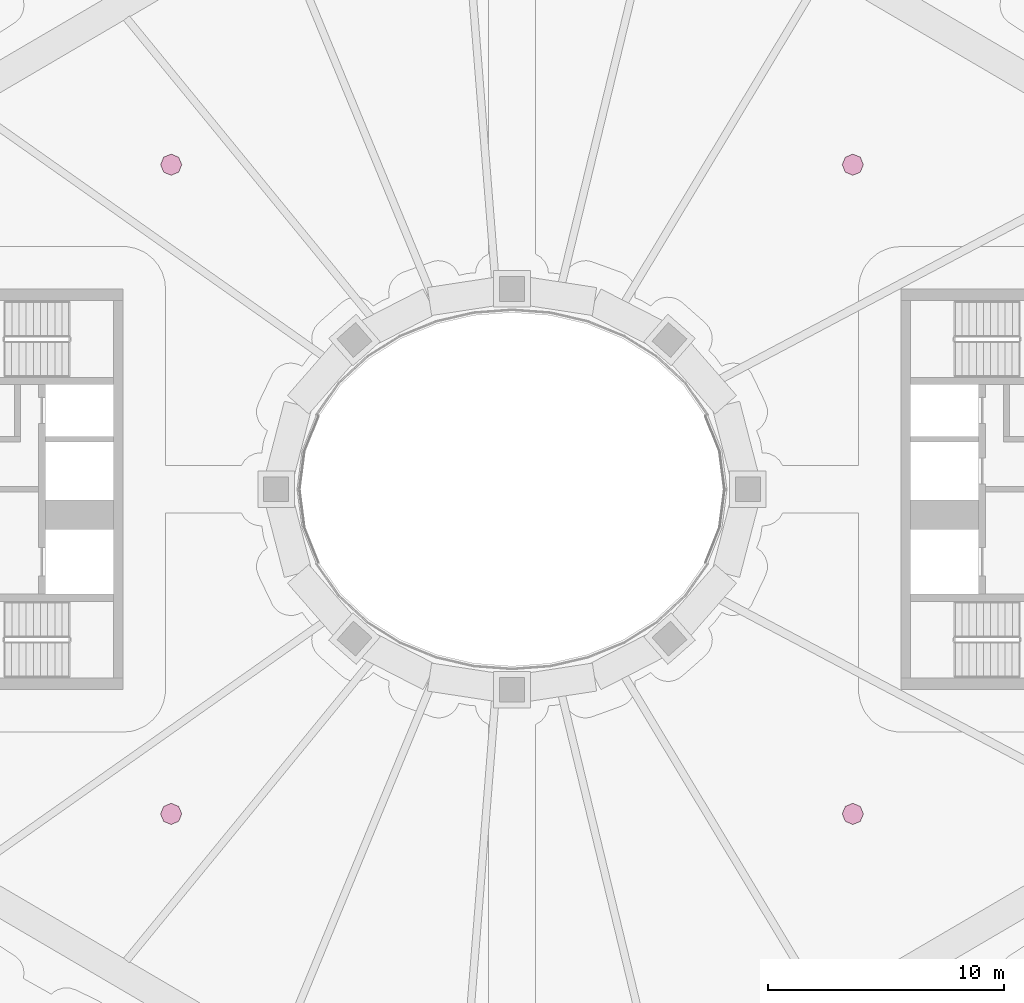
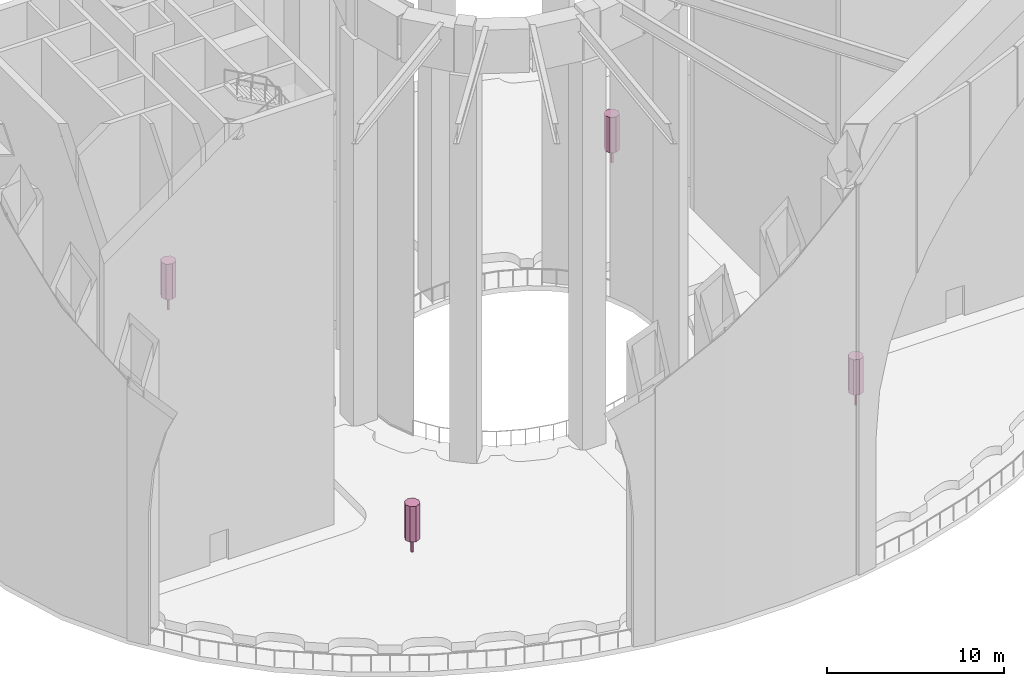
# One storey, part 26 of 26: 4 furnishings.
"""IFC4 building model written with IfcOpenShell, lengths in metres."""

from ifc_helpers import new_model, si_unit, direction, frame, origin, origin_2d, place, context, subcontext, project, spatial, polyline, rectangle, outline, extrude, material, type_object, element, save


model = new_model("IFC4")

# Units and contexts
model_context = context("Model", 3, precision=1e-05, world=origin(), true_north=direction((0.0, 1.0)))
body_context = subcontext(model_context, "Body", "Model", "MODEL_VIEW")
ifc_project = project(units=[si_unit("LENGTHUNIT", "METRE"), si_unit("AREAUNIT", "SQUARE_METRE"), si_unit("VOLUMEUNIT", "CUBIC_METRE"), si_unit("PLANEANGLEUNIT", "RADIAN"), si_unit("MASSUNIT", "GRAM", prefix="KILO")], contexts=[model_context])

# Site, building, storey
site_placement = place(None, origin())
site = spatial("IfcSite", under=ifc_project, at=site_placement, CompositionType="ELEMENT")
building_placement = place(site_placement, origin())
building = spatial("IfcBuilding", under=site, at=building_placement, Name="Noorbagh Ring Tower", CompositionType="ELEMENT")
storey_placement = place(building_placement, frame((0.0, 0.0, 203.5)))
storey = spatial("IfcBuildingStorey", under=building, at=storey_placement, Name="L47", CompositionType="ELEMENT", Elevation=203.5)

# Furnishings
ifc_material = material(Name="Planting foliage green")
furnishing_element_type = type_object("IfcFurnishingElementType", Name="ENV-TREE", material=ifc_material)
for number, where, z_axis, x_axis, name in (
    (1, (-14.460693359375, -13.772705078125, 0.60009765625), (0.0, 0.0, 1.0), (1.0, 0.0, 0.0), "Tree bed 01"),
    (2, (14.460693359375, -13.772705078125, 0.60009765625), (0.0, 0.0, 1.0), (1.0, 0.0, 0.0), "Tree bed 02"),
    (3, (-14.460693359375, 13.772705078125, 0.60009765625), (0.0, 0.0, 1.0), (1.0, 0.0, 0.0), "Tree bed 03"),
    (4, (14.460693359375, 13.772705078125, 0.60009765625), (0.0, 0.0, 1.0), (1.0, 0.0, 0.0), "Tree bed 04"),
):
    element("IfcFurnishingElement", number, at=place(storey_placement, frame(where, z_axis=z_axis, x_axis=x_axis)), inside=storey, type_object=furnishing_element_type, Name=name, context=body_context, shape_type="SweptSolid", body=[
        extrude(rectangle(XDim=0.1201171875, YDim=0.1201171875, at=origin_2d()), origin(), (0.0, 0.0, 1.0), 0.951904296875),
        extrude(outline(polyline([(0.449951171875, 0.0), (0.318115234375, 0.318115234375), (0.0, 0.449951171875), (-0.318115234375, 0.318115234375), (-0.449951171875, 0.0), (-0.318115234375, -0.318115234375), (0.0, -0.449951171875), (0.318115234375, -0.318115234375), (0.449951171875, 0.0)])), frame((0.0, 0.0, 0.951904296875)), (0.0, 0.0, 1.0), 2.447998046875),
    ])

save(model, "model.ifc")
